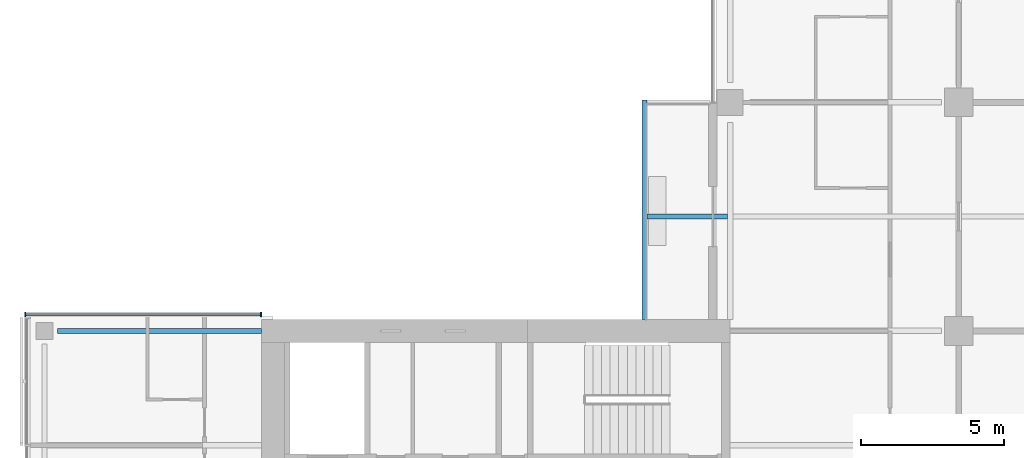
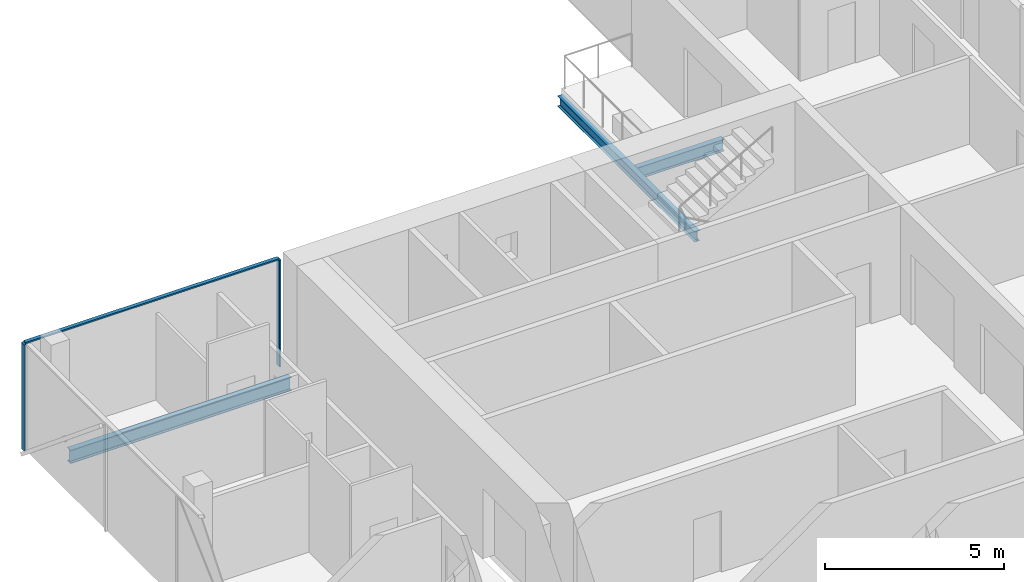
# One storey, part 7 of 25: 3 beams, 3 members, 1 element without a shape of its own.
"""IFC4 building model written with IfcOpenShell, lengths in metres."""

from ifc_helpers import new_model, si_unit, direction, frame, origin, origin_2d, place, context, subcontext, project, spatial, rectangle, i_section, extrude, material, material_profile, profile_set, type_object, element, aggregate, save


model = new_model("IFC4")

# Units and contexts
model_context = context("Model", 3, precision=1e-05, world=origin(), true_north=direction((0.0, 1.0)))
body_context = subcontext(model_context, "Body", "Model", "MODEL_VIEW")
ifc_project = project(units=[si_unit("LENGTHUNIT", "METRE"), si_unit("AREAUNIT", "SQUARE_METRE"), si_unit("VOLUMEUNIT", "CUBIC_METRE"), si_unit("PLANEANGLEUNIT", "RADIAN"), si_unit("MASSUNIT", "GRAM", prefix="KILO")], contexts=[model_context])

# Site, building, storey
site_placement = place(None, origin())
site = spatial("IfcSite", under=ifc_project, at=site_placement, CompositionType="ELEMENT")
building_placement = place(site_placement, origin())
building = spatial("IfcBuilding", under=site, at=building_placement, Name="Crosswind Convention Tower", CompositionType="ELEMENT")
storey_placement = place(building_placement, frame((0.0, 0.0, 97.89990234375)))
storey = spatial("IfcBuildingStorey", under=building, at=storey_placement, Name="L19", CompositionType="ELEMENT", Elevation=97.89990234375)

# Beams
ifc_material_1 = material(Name="Steel S355", Category="steel")
ifc_material_profile_1 = material_profile(ifc_material_1, i_section(OverallWidth=0.177734375, OverallDepth=0.406494140625, WebThickness=0.0078125, FlangeThickness=0.0126953125, FilletRadius=0.01025390625, at=origin_2d()), Name="UB 406x178x60")
ifc_profile_set_1 = profile_set([ifc_material_profile_1], Name="Steel S355")
beam_type_1 = type_object("IfcBeamType", Name="Balcony cantilever UB 406x178x60", PredefinedType="BEAM", material=ifc_profile_set_1)
beam_1_placement = place(storey_placement, frame((112.90478515625, 116.0, -0.483154296875), z_axis=(-1.0, 0.0, 0.0), x_axis=(0.0, -1.0, 0.0)))
element("IfcBeam", 1, at=beam_1_placement, inside=storey, type_object=beam_type_1, Name="B35 L19 balcony cantilever NW 4", PredefinedType="BEAM", context=body_context, shape_type="SweptSolid", body=[
    extrude(i_section(OverallWidth=0.177734375, OverallDepth=0.406494140625, WebThickness=0.0078125, FlangeThickness=0.0126953125, FilletRadius=0.01025390625, at=origin_2d()), origin(), (0.0, 0.0, 1.0), 2.8193359375),
])
ifc_material_profile_2 = material_profile(ifc_material_1, i_section(OverallWidth=0.1708984375, OverallDepth=0.35205078125, WebThickness=0.0068359375, FlangeThickness=0.009765625, FilletRadius=0.01025390625, at=origin_2d()), Name="UB 356x171x45")
ifc_profile_set_2 = profile_set([ifc_material_profile_2], Name="Steel S355")
beam_type_2 = type_object("IfcBeamType", Name="Balcony edge beam UB 356x171x45", PredefinedType="BEAM", material=ifc_profile_set_2)
beam_2_placement = place(storey_placement, frame((110.0, 112.39990234375, -0.455810546875), z_axis=(0.0, 1.0, 0.0), x_axis=(-1.0, 0.0, 0.0)))
element("IfcBeam", 2, at=beam_2_placement, inside=storey, type_object=beam_type_2, Name="B37 L19 balcony edge beam NW 6", PredefinedType="BEAM", context=body_context, shape_type="SweptSolid", body=[
    extrude(i_section(OverallWidth=0.1708984375, OverallDepth=0.35205078125, WebThickness=0.0068359375, FlangeThickness=0.009765625, FilletRadius=0.01025390625, at=origin_2d()), origin(), (0.0, 0.0, 1.0), 7.68896484375),
])
ifc_material_profile_3 = material_profile(ifc_material_1, i_section(OverallWidth=0.1904296875, OverallDepth=0.457275390625, WebThickness=0.009033203125, FlangeThickness=0.014404296875, FilletRadius=0.01025390625, at=origin_2d()), Name="UB 457x191x75")
ifc_profile_set_3 = profile_set([ifc_material_profile_3], Name="Steel S355")
beam_type_3 = type_object("IfcBeamType", Name="Edge beam UB 457x191x75", PredefinedType="SPANDREL", material=ifc_profile_set_3)
beam_3_placement = place(storey_placement, frame((89.449951171875, 112.0, -0.508544921875), z_axis=(1.0, 0.0, 0.0), x_axis=(0.0, 1.0, 0.0)))
element("IfcBeam", 3, at=beam_3_placement, inside=storey, type_object=beam_type_3, Name="B17 L19 edge beam 5", PredefinedType="SPANDREL", context=body_context, shape_type="SweptSolid", body=[
    extrude(i_section(OverallWidth=0.1904296875, OverallDepth=0.457275390625, WebThickness=0.009033203125, FlangeThickness=0.014404296875, FilletRadius=0.01025390625, at=origin_2d()), origin(), (0.0, 0.0, 1.0), 7.150146484375),
])

# Curtain wall, members
ifc_material_2 = material(Name="Aluminium unitised curtain wall", Category="aluminium")
curtain_wall_type = type_object("IfcCurtainWallType", Name="CORE END SLOT WALL 160", PredefinedType="USERDEFINED", material=ifc_material_2)
curtain_wall_placement = place(storey_placement, origin())
curtain_wall = element("IfcCurtainWall", 4, at=curtain_wall_placement, inside=storey, type_object=curtain_wall_type, Name="CW6 L19 W-N.2-1 slot", ObjectType="UNITISED", PredefinedType="USERDEFINED")
ifc_material_3 = material(Name="Aluminium mullion", Category="aluminium")
ifc_material_profile_4 = material_profile(ifc_material_3, rectangle(XDim=0.159912109375, YDim=0.050048828125, at=origin_2d()), Name="AL 160X50")
ifc_profile_set_4 = profile_set([ifc_material_profile_4], Name="Aluminium mullion")
member_type_1 = type_object("IfcMemberType", Name="MULLION 50X160", PredefinedType="MULLION", material=ifc_profile_set_4)
member_1_placement = place(storey_placement, frame((96.574951171875, 112.580078125, -0.27978515625), z_axis=(0.0, 0.0, 1.0), x_axis=(0.0, 1.0, 0.0)))
member_1 = element("IfcMember", 5, at=member_1_placement, type_object=member_type_1, Name="CW6 mullion 1", PredefinedType="MULLION", context=body_context, shape_type="SweptSolid", body=[
    extrude(rectangle(XDim=0.159912109375, YDim=0.050048828125, at=origin_2d()), origin(), (0.0, 0.0, 1.0), 3.64990234375),
])
member_2_placement = place(storey_placement, frame((88.324951171875, 112.580078125, -0.27978515625), z_axis=(0.0, 0.0, 1.0), x_axis=(0.0, 1.0, 0.0)))
member_2 = element("IfcMember", 6, at=member_2_placement, type_object=member_type_1, Name="CW6 mullion 2", PredefinedType="MULLION", context=body_context, shape_type="SweptSolid", body=[
    extrude(rectangle(XDim=0.159912109375, YDim=0.050048828125, at=origin_2d()), origin(), (0.0, 0.0, 1.0), 3.64990234375),
])
ifc_material_4 = material(Name="Aluminium transom", Category="aluminium")
ifc_material_profile_5 = material_profile(ifc_material_4, rectangle(XDim=0.1201171875, YDim=0.050048828125, at=origin_2d()), Name="AL 120X50")
ifc_profile_set_5 = profile_set([ifc_material_profile_5], Name="Aluminium transom")
member_type_2 = type_object("IfcMemberType", Name="TRANSOM 50X120", PredefinedType="USERDEFINED", material=ifc_profile_set_5)
member_3_placement = place(storey_placement, frame((96.550048828125, 112.580078125, 3.39501953125), z_axis=(-1.0, 0.0, 0.0), x_axis=(0.0, -1.0, 0.0)))
member_3 = element("IfcMember", 7, at=member_3_placement, type_object=member_type_2, Name="CW6 transom", ObjectType="TRANSOM", PredefinedType="USERDEFINED", context=body_context, shape_type="SweptSolid", body=[
    extrude(rectangle(XDim=0.1201171875, YDim=0.050048828125, at=origin_2d()), origin(), (0.0, 0.0, 1.0), 8.199951171875),
])
aggregate(curtain_wall, [member_1, member_2, member_3])

save(model, "model.ifc")
